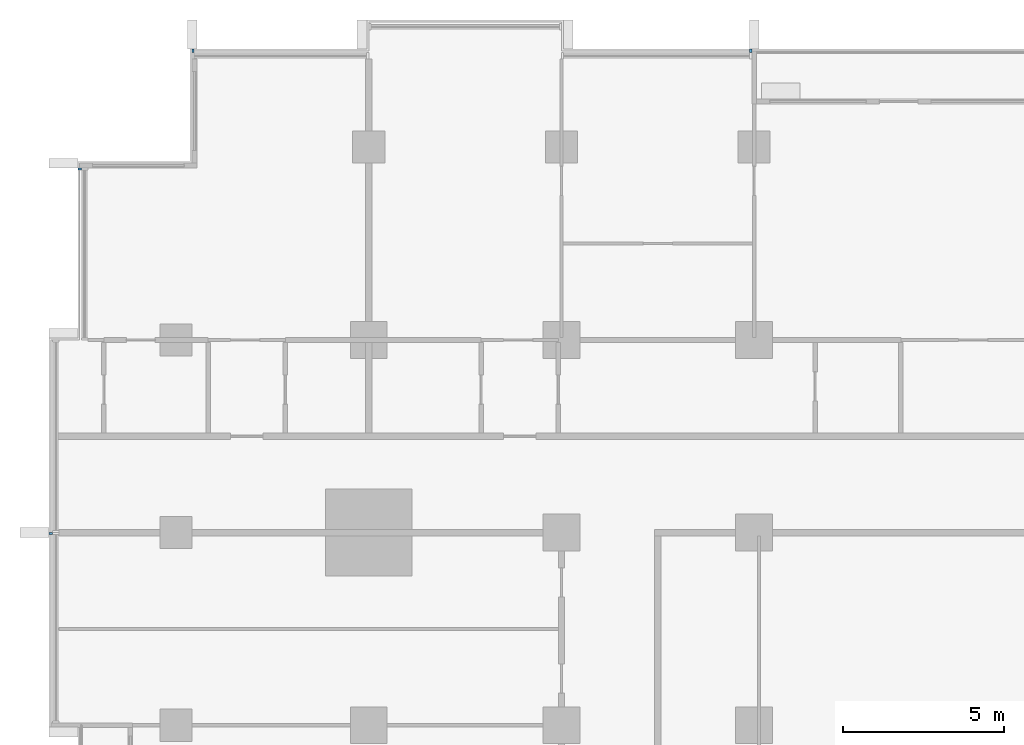
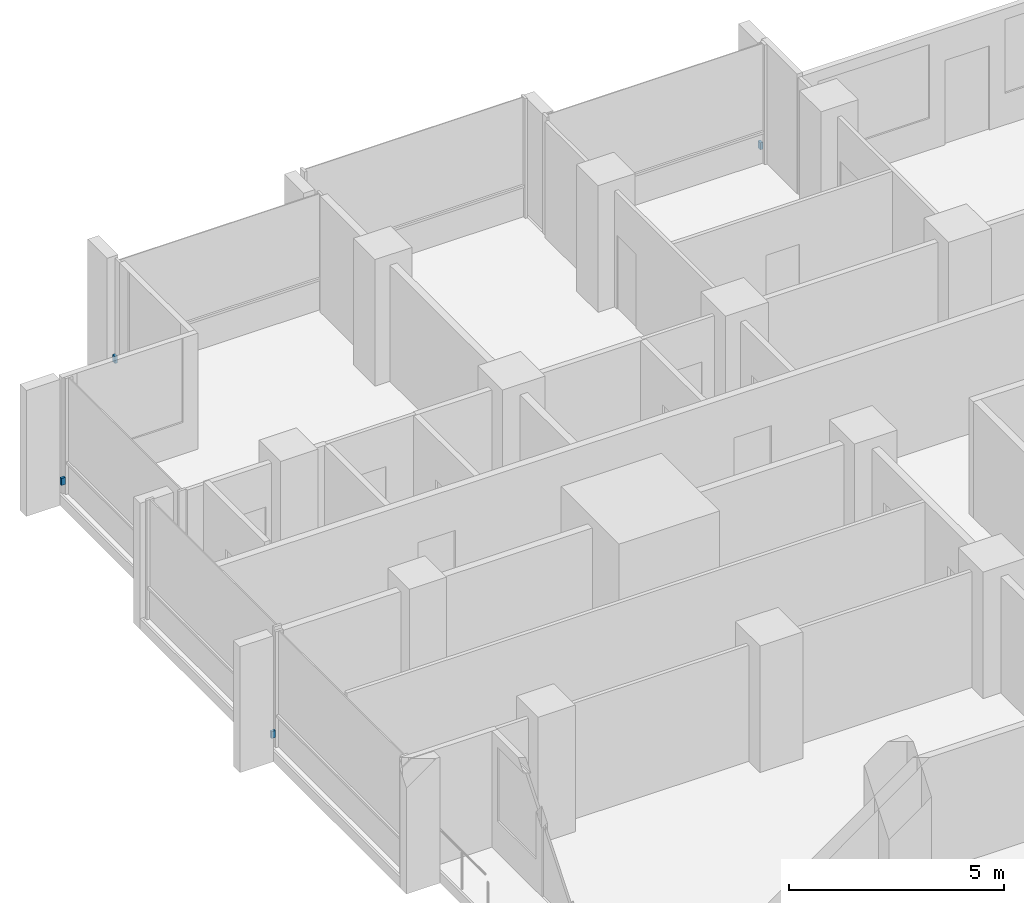
# One storey, part 15 of 17: 4 discrete accessories.
"""IFC4 building model written with IfcOpenShell, lengths in metres."""

import ifcopenshell
import ifcopenshell.guid

model = None  # the IFC model being written
_history = None  # IfcOwnerHistory: only IFC2X3 demands one
_inside = {}  # id of a spatial element -> (the spatial element, [elements in it])
_under = {}  # id of a project, library or spatial element -> (it, [spatial elements below it])
_declared = {}  # id of a project -> (the project, [libraries it declares])
_typed = {}  # id of a type object -> (the type object, [elements of that type])
_made_of = {}  # id of a material, layer set ... -> (it, [elements and type objects made of it])


def new_model(schema):
    """Start an empty IFC model of exactly this schema.

    Asked for "IFC4X3", IfcOpenShell would pick the latest addendum, in which some entities
    have other attributes; the version numbers below select the first issue.
    IFC2X3 requires an IfcOwnerHistory on every rooted entity: one is made here for all.
    """
    global model, _history
    if schema == "IFC4X3":
        model = ifcopenshell.file(schema_version=(4, 3, 0, 0))
    else:
        model = ifcopenshell.file(schema=schema)
    _inside.clear()
    _under.clear()
    _declared.clear()
    _typed.clear()
    _made_of.clear()
    _history = None
    if model.schema == "IFC2X3":
        org = make("IfcOrganization", Name="unknown")
        user = make(
            "IfcPersonAndOrganization",
            ThePerson=make("IfcPerson", FamilyName="unknown"),
            TheOrganization=org,
        )
        app = make(
            "IfcApplication",
            ApplicationDeveloper=org,
            Version="unknown",
            ApplicationFullName="unknown",
            ApplicationIdentifier="unknown",
        )
        _history = make(
            "IfcOwnerHistory",
            OwningUser=user,
            OwningApplication=app,
            ChangeAction="ADDED",
            CreationDate=0,
        )
    return model


def make(cls, **values):
    """One entity of the class cls with the attributes given. An attribute that is None is left unset."""
    return model.create_entity(
        cls, **{name: value for name, value in values.items() if value is not None}
    )


def rooted(cls, **values):
    """An entity with a GlobalId (a new one), such as an element, a storey or a relation."""
    return make(cls, GlobalId=ifcopenshell.guid.new(), OwnerHistory=_history, **values)


def si_unit(unit_type, name, prefix=None):
    """IfcSIUnit, for example si_unit("LENGTHUNIT", "METRE", prefix="MILLI")."""
    return make("IfcSIUnit", UnitType=unit_type, Prefix=prefix, Name=name)


def assignment(units):
    """IfcUnitAssignment: the units of a project."""
    return None if units is None else make("IfcUnitAssignment", Units=units)


def point(xyz):
    """IfcCartesianPoint."""
    return None if xyz is None else make("IfcCartesianPoint", Coordinates=xyz)


def direction(xyz):
    """IfcDirection."""
    return None if xyz is None else make("IfcDirection", DirectionRatios=xyz)


def frame(location, z_axis=None, x_axis=None):
    """IfcAxis2Placement3D, a coordinate frame: its origin and axes. An axis left out is left unset."""
    return make(
        "IfcAxis2Placement3D",
        Location=point(location),
        Axis=direction(z_axis),
        RefDirection=direction(x_axis),
    )


def frame_2d(location, x_axis=None):
    """IfcAxis2Placement2D, a coordinate frame in the plane: its origin and x axis."""
    return make(
        "IfcAxis2Placement2D", Location=point(location), RefDirection=direction(x_axis)
    )


def origin():
    """The frame at (0, 0, 0) with its axes left unset."""
    return frame((0.0, 0.0, 0.0))


def origin_2d():
    """The frame at (0, 0) in the plane with its x axis left unset."""
    return frame_2d((0.0, 0.0))


def place(relative_to, where):
    """IfcLocalPlacement: puts the frame where relative to a parent placement (None: the world)."""
    return make(
        "IfcLocalPlacement", PlacementRelTo=relative_to, RelativePlacement=where
    )


def context(
    kind, dimensions, precision=None, world=None, true_north=None, identifier=None
):
    """IfcGeometricRepresentationContext, for example the 3D "Model" context."""
    return make(
        "IfcGeometricRepresentationContext",
        ContextIdentifier=identifier,
        ContextType=kind,
        CoordinateSpaceDimension=dimensions,
        Precision=precision,
        WorldCoordinateSystem=world,
        TrueNorth=true_north,
    )


def subcontext(parent, identifier, kind, view, scale=None):
    """IfcGeometricRepresentationSubContext, for example "Body" below "Model"."""
    return make(
        "IfcGeometricRepresentationSubContext",
        ContextIdentifier=identifier,
        ContextType=kind,
        ParentContext=parent,
        TargetScale=scale,
        TargetView=view,
    )


def project(units=None, contexts=None):
    """IfcProject with its units and contexts."""
    return rooted(
        "IfcProject",
        Name="project",
        RepresentationContexts=contexts,
        UnitsInContext=assignment(units),
    )


def spatial(cls, under=None, at=None, **own):
    """A site, building, storey or space (cls), placed at a placement, below another one or the project."""
    s = rooted(cls, ObjectPlacement=at, **own)
    if under is not None:
        _under.setdefault(under.id(), (under, []))[1].append(s)
    return s


def profile(cls, at=None, kind="AREA", **sizes):
    """A parametric profile (cls). Its sizes go by their IFC names, for example OverallWidth=200.0."""
    return make(cls, ProfileType=kind, Position=at, **sizes)


def rectangle(**sizes):
    """IfcRectangleProfileDef."""
    return profile("IfcRectangleProfileDef", **sizes)


def extrude(swept, where, along, depth):
    """IfcExtrudedAreaSolid: the profile swept, set in the frame where, extruded along a direction by depth."""
    return make(
        "IfcExtrudedAreaSolid",
        SweptArea=swept,
        Position=where,
        ExtrudedDirection=direction(along),
        Depth=depth,
    )


def shape(context_of_items, identifier, shape_type, items):
    """IfcShapeRepresentation: the items that make up one representation, for example the "Body"."""
    return make(
        "IfcShapeRepresentation",
        ContextOfItems=context_of_items,
        RepresentationIdentifier=identifier,
        RepresentationType=shape_type,
        Items=items,
    )


def material(Name=None, Category=None):
    """IfcMaterial."""
    return make("IfcMaterial", Name=Name, Category=Category)


def made_of(thing, what):
    """Note that an element or type object is made of a material, layer set ...; save() writes the relation."""
    if what is not None:
        _made_of.setdefault(what.id(), (what, []))[1].append(thing)
    return thing


def type_object(cls, material=None, **own):
    """A type object (cls), such as IfcWallType, which elements share."""
    return made_of(rooted(cls, **own), material)


def element(
    cls,
    number,
    at=None,
    inside=None,
    cuts=None,
    type_object=None,
    material=None,
    context=None,
    identifier="Body",
    shape_type=None,
    held_by="IfcProductDefinitionShape",
    body=None,
    shapes=None,
    **own,
):
    """One element of the class cls, such as IfcWall. Its Tag is "e" and its number.

    at: its placement. inside: the storey or other place that contains it. cuts: it is an
    opening in that element (IfcRelVoidsElement). A single representation is given by context,
    identifier, shape_type and body (its items); several are given by shapes. held_by: the class
    of the entity that holds the representations. save() writes the other relations.
    """
    e = rooted(cls, Tag="e%d" % number, ObjectPlacement=at, **own)
    if body is not None:
        shapes = [shape(context, identifier, shape_type, body)]
    if shapes is not None:
        e.Representation = make(held_by, Representations=shapes)
    if inside is not None:
        _inside.setdefault(inside.id(), (inside, []))[1].append(e)
    if cuts is not None:
        rooted(
            "IfcRelVoidsElement", RelatingBuildingElement=cuts, RelatedOpeningElement=e
        )
    if type_object is not None:
        _typed.setdefault(type_object.id(), (type_object, []))[1].append(e)
    return made_of(e, material)


def aggregate(whole, parts):
    """IfcRelAggregates: a whole, such as a stair, and the parts it consists of."""
    return rooted("IfcRelAggregates", RelatingObject=whole, RelatedObjects=parts)


def save(model, path):
    """Write the relations noted so far, then the file.

    IfcRelAggregates (storeys below a building ...), IfcRelContainedInSpatialStructure (elements
    in a storey), IfcRelDefinesByType, IfcRelAssociatesMaterial and IfcRelDeclares: one each for
    every whole, place, type object, material and project.
    """
    for whole, parts in _under.values():
        aggregate(whole, parts)
    for where, things in _inside.values():
        rooted(
            "IfcRelContainedInSpatialStructure",
            RelatedElements=things,
            RelatingStructure=where,
        )
    for kind, things in _typed.values():
        rooted("IfcRelDefinesByType", RelatedObjects=things, RelatingType=kind)
    for what, things in _made_of.values():
        rooted("IfcRelAssociatesMaterial", RelatedObjects=things, RelatingMaterial=what)
    for by, libraries in _declared.values():
        rooted("IfcRelDeclares", RelatingContext=by, RelatedDefinitions=libraries)
    model.write(path)


model = new_model("IFC4")

# Units and contexts
model_context = context("Model", 3, precision=1e-05, world=origin(), true_north=direction((0.0, 1.0)))
body_context = subcontext(model_context, "Body", "Model", "MODEL_VIEW")
ifc_project = project(units=[si_unit("LENGTHUNIT", "METRE"), si_unit("AREAUNIT", "SQUARE_METRE"), si_unit("VOLUMEUNIT", "CUBIC_METRE"), si_unit("PLANEANGLEUNIT", "RADIAN"), si_unit("MASSUNIT", "GRAM", prefix="KILO")], contexts=[model_context])

# Site, building, storey
site_placement = place(None, origin())
site = spatial("IfcSite", under=ifc_project, at=site_placement, CompositionType="ELEMENT")
building_placement = place(site_placement, origin())
building = spatial("IfcBuilding", under=site, at=building_placement, Name="Finial Court Residences", CompositionType="ELEMENT")
storey_placement = place(building_placement, frame((0.0, 0.0, 91.89990234375)))
storey = spatial("IfcBuildingStorey", under=building, at=storey_placement, Name="L22", CompositionType="ELEMENT", Elevation=91.89990234375)

# Discrete accessories
ifc_material = material(Name="Stainless steel 316", Category="steel")
discrete_accessory_type = type_object("IfcDiscreteAccessoryType", Name="Fin bracket, stainless steel 65 x 110 x 200", PredefinedType="BRACKET", material=ifc_material)
for number, where, z_axis, x_axis, name in (
    (1, (-21.967529296875, 22.5048828125, 0.30029296875), (0.0, 0.0, 1.0), (1.0, 0.0, 0.0), "E-L22-FIN-N1-BRK"),
    (2, (-4.607421875, 22.5048828125, 0.30029296875), (0.0, 0.0, 1.0), (1.0, 0.0, 0.0), "E-L22-FIN-N4-BRK"),
):
    element("IfcDiscreteAccessory", number, at=place(storey_placement, frame(where, z_axis=z_axis, x_axis=x_axis)), inside=storey, type_object=discrete_accessory_type, Name=name, PredefinedType="BRACKET", context=body_context, shape_type="SweptSolid", body=[
        extrude(rectangle(XDim=0.06494140625, YDim=0.110107421875, at=origin_2d()), origin(), (0.0, 0.0, 1.0), 0.199951171875),
    ])
for number, where, z_axis, x_axis, name in (
    (3, (-26.405029296875, 7.467529296875, 0.30029296875), (0.0, 0.0, 1.0), (1.0, 0.0, 0.0), "E-L22-FIN-W30-BRK"),
    (4, (-25.5048828125, 18.8173828125, 0.30029296875), (0.0, 0.0, 1.0), (1.0, 0.0, 0.0), "E-L22-FIN-W32-BRK"),
):
    element("IfcDiscreteAccessory", number, at=place(storey_placement, frame(where, z_axis=z_axis, x_axis=x_axis)), inside=storey, type_object=discrete_accessory_type, Name=name, PredefinedType="BRACKET", context=body_context, shape_type="SweptSolid", body=[
        extrude(rectangle(XDim=0.110107421875, YDim=0.06494140625, at=origin_2d()), origin(), (0.0, 0.0, 1.0), 0.199951171875),
    ])

save(model, "model.ifc")
